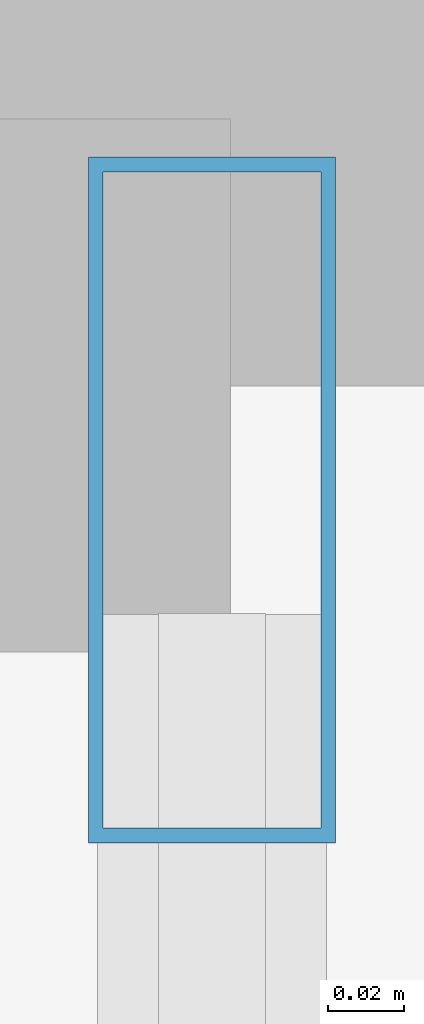
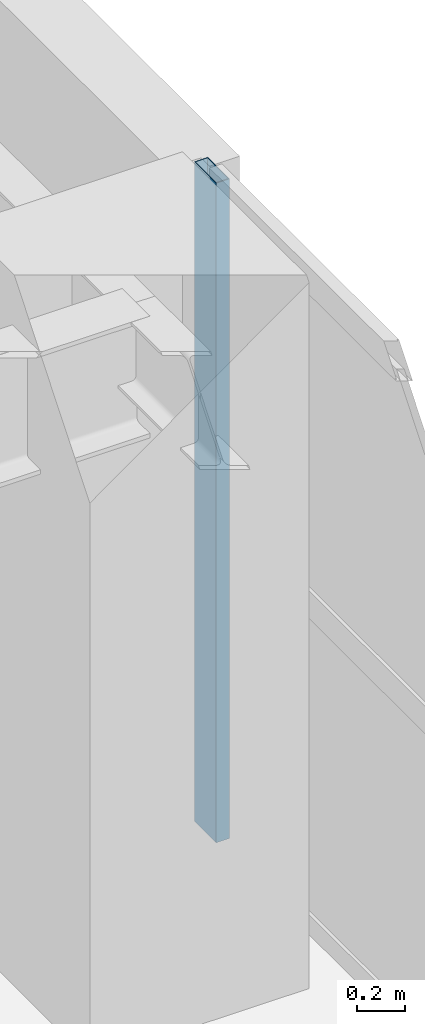
# One storey, part 6 of 15: 1 member, 1 element without a shape of its own.
"""IFC4 building model written with IfcOpenShell, lengths in metres."""

from ifc_helpers import new_model, si_unit, direction, frame, origin, origin_2d, place, context, subcontext, project, spatial, hollow_rectangle, extrude, source, transform, mapped, material, layer, layer_set, material_profile, profile_set, type_object, element, aggregate, save


model = new_model("IFC4")

# Units and contexts
model_context = context("Model", 3, precision=1e-05, world=origin(), true_north=direction((0.0, 1.0)))
body_context = subcontext(model_context, "Body", "Model", "MODEL_VIEW")
ifc_project = project(units=[si_unit("LENGTHUNIT", "METRE"), si_unit("AREAUNIT", "SQUARE_METRE"), si_unit("VOLUMEUNIT", "CUBIC_METRE"), si_unit("PLANEANGLEUNIT", "RADIAN"), si_unit("MASSUNIT", "GRAM", prefix="KILO")], contexts=[model_context])

# Site, building, storey
site_placement = place(None, origin())
site = spatial("IfcSite", under=ifc_project, at=site_placement, CompositionType="ELEMENT")
building_placement = place(site_placement, origin())
building = spatial("IfcBuilding", under=site, at=building_placement, Name="Khoralis Quay Care Tower", CompositionType="ELEMENT")
storey_placement = place(building_placement, frame((0.0, 0.0, 123.300048828125)))
storey = spatial("IfcBuildingStorey", under=building, at=storey_placement, Name="L32", CompositionType="ELEMENT", Elevation=123.300048828125)

# Curtain wall, member
ifc_material = material(Name="Pale anodised aluminium", Category="aluminium")
ifc_layer = layer(ifc_material, 0.169921875)
ifc_layer_set = layer_set([ifc_layer], Name="Pale anodised aluminium")
curtain_wall_type = type_object("IfcCurtainWallType", Name="CW-SYS-Z2", PredefinedType="NOTDEFINED", material=ifc_layer_set)
curtain_wall_placement = place(storey_placement, origin())
curtain_wall = element("IfcCurtainWall", 1, at=curtain_wall_placement, inside=storey, type_object=curtain_wall_type, Name="L32 Unitised Curtain Wall CW-L32-P1-E5", PredefinedType="NOTDEFINED")
ifc_material_profile = material_profile(ifc_material, hollow_rectangle(XDim=0.06494140625, YDim=0.179931640625, WallThickness=0.00390625, at=origin_2d()), Name="Pale anodised aluminium")
ifc_profile_set = profile_set([ifc_material_profile], Name="Pale anodised aluminium")
member_type = type_object("IfcMemberType", Name="CW-MUL-180", PredefinedType="MULLION", material=ifc_profile_set)
shared_shape = source(origin(), body_context, "Body", "SweptSolid", [
    extrude(hollow_rectangle(XDim=0.06494140625, YDim=0.179931640625, WallThickness=0.00390625, at=origin_2d()), origin(), (0.0, 0.0, 1.0), 3.33984375),
])
member_placement = place(storey_placement, frame((44.85009765625, 24.669921875, 0.0), z_axis=(0.0, 0.0, 1.0), x_axis=(-1.0, 0.0, 0.0)))
member = element("IfcMember", 2, at=member_placement, type_object=member_type, Name="CW2 mullion 4", PredefinedType="MULLION", context=body_context, shape_type="MappedRepresentation", body=[
    mapped(shared_shape, transform((0.0, 0.0, 0.0), scale=1.0)),
])
aggregate(curtain_wall, [member])

save(model, "model.ifc")
